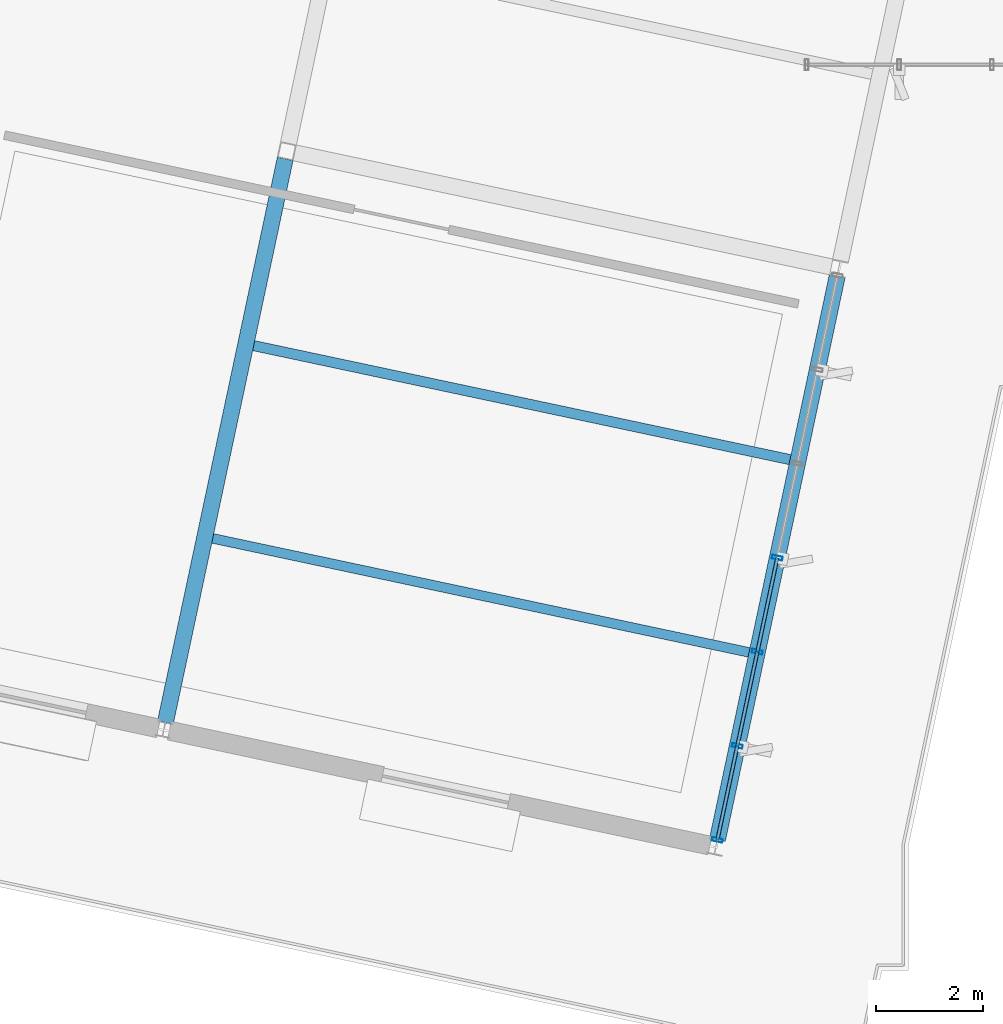
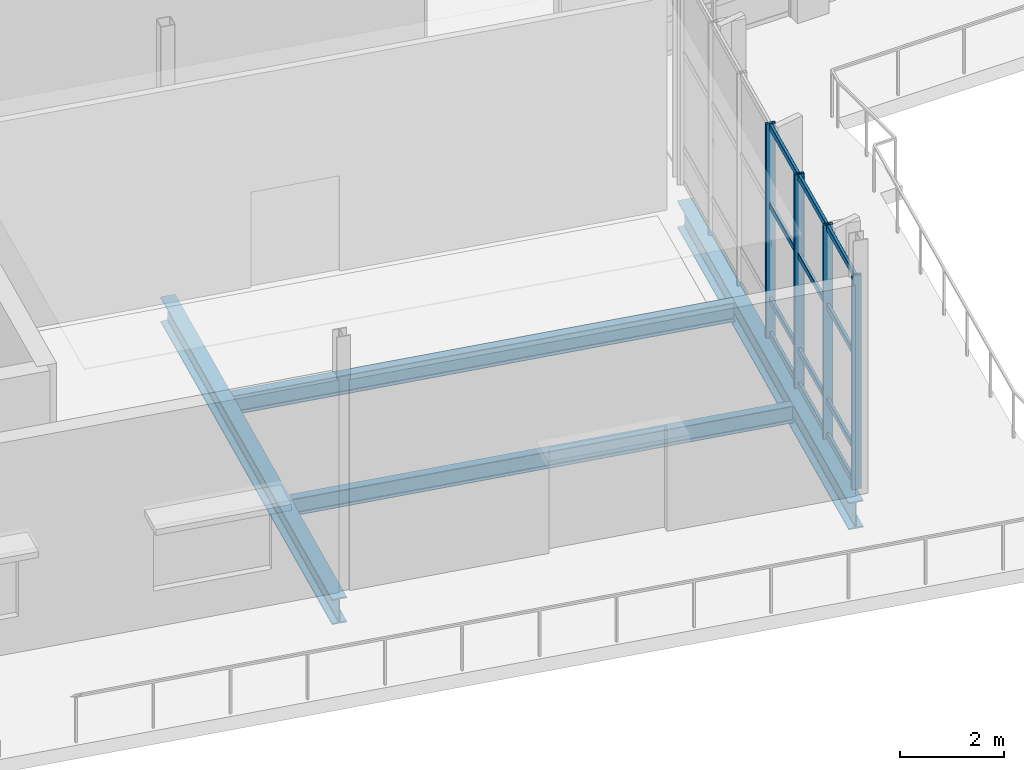
# One storey, part 31 of 163: 16 members, 4 beams, 1 element without a shape of its own.
"""IFC4 building model written with IfcOpenShell, lengths in metres."""

import ifcopenshell
import ifcopenshell.guid

model = None  # the IFC model being written
_history = None  # IfcOwnerHistory: only IFC2X3 demands one
_inside = {}  # id of a spatial element -> (the spatial element, [elements in it])
_under = {}  # id of a project, library or spatial element -> (it, [spatial elements below it])
_declared = {}  # id of a project -> (the project, [libraries it declares])
_typed = {}  # id of a type object -> (the type object, [elements of that type])
_made_of = {}  # id of a material, layer set ... -> (it, [elements and type objects made of it])


def new_model(schema):
    """Start an empty IFC model of exactly this schema.

    Asked for "IFC4X3", IfcOpenShell would pick the latest addendum, in which some entities
    have other attributes; the version numbers below select the first issue.
    IFC2X3 requires an IfcOwnerHistory on every rooted entity: one is made here for all.
    """
    global model, _history
    if schema == "IFC4X3":
        model = ifcopenshell.file(schema_version=(4, 3, 0, 0))
    else:
        model = ifcopenshell.file(schema=schema)
    _inside.clear()
    _under.clear()
    _declared.clear()
    _typed.clear()
    _made_of.clear()
    _history = None
    if model.schema == "IFC2X3":
        org = make("IfcOrganization", Name="unknown")
        user = make(
            "IfcPersonAndOrganization",
            ThePerson=make("IfcPerson", FamilyName="unknown"),
            TheOrganization=org,
        )
        app = make(
            "IfcApplication",
            ApplicationDeveloper=org,
            Version="unknown",
            ApplicationFullName="unknown",
            ApplicationIdentifier="unknown",
        )
        _history = make(
            "IfcOwnerHistory",
            OwningUser=user,
            OwningApplication=app,
            ChangeAction="ADDED",
            CreationDate=0,
        )
    return model


def make(cls, **values):
    """One entity of the class cls with the attributes given. An attribute that is None is left unset."""
    return model.create_entity(
        cls, **{name: value for name, value in values.items() if value is not None}
    )


def rooted(cls, **values):
    """An entity with a GlobalId (a new one), such as an element, a storey or a relation."""
    return make(cls, GlobalId=ifcopenshell.guid.new(), OwnerHistory=_history, **values)


def si_unit(unit_type, name, prefix=None):
    """IfcSIUnit, for example si_unit("LENGTHUNIT", "METRE", prefix="MILLI")."""
    return make("IfcSIUnit", UnitType=unit_type, Prefix=prefix, Name=name)


def assignment(units):
    """IfcUnitAssignment: the units of a project."""
    return None if units is None else make("IfcUnitAssignment", Units=units)


def point(xyz):
    """IfcCartesianPoint."""
    return None if xyz is None else make("IfcCartesianPoint", Coordinates=xyz)


def direction(xyz):
    """IfcDirection."""
    return None if xyz is None else make("IfcDirection", DirectionRatios=xyz)


def frame(location, z_axis=None, x_axis=None):
    """IfcAxis2Placement3D, a coordinate frame: its origin and axes. An axis left out is left unset."""
    return make(
        "IfcAxis2Placement3D",
        Location=point(location),
        Axis=direction(z_axis),
        RefDirection=direction(x_axis),
    )


def frame_2d(location, x_axis=None):
    """IfcAxis2Placement2D, a coordinate frame in the plane: its origin and x axis."""
    return make(
        "IfcAxis2Placement2D", Location=point(location), RefDirection=direction(x_axis)
    )


def origin():
    """The frame at (0, 0, 0) with its axes left unset."""
    return frame((0.0, 0.0, 0.0))


def origin_2d():
    """The frame at (0, 0) in the plane with its x axis left unset."""
    return frame_2d((0.0, 0.0))


def place(relative_to, where):
    """IfcLocalPlacement: puts the frame where relative to a parent placement (None: the world)."""
    return make(
        "IfcLocalPlacement", PlacementRelTo=relative_to, RelativePlacement=where
    )


def context(
    kind, dimensions, precision=None, world=None, true_north=None, identifier=None
):
    """IfcGeometricRepresentationContext, for example the 3D "Model" context."""
    return make(
        "IfcGeometricRepresentationContext",
        ContextIdentifier=identifier,
        ContextType=kind,
        CoordinateSpaceDimension=dimensions,
        Precision=precision,
        WorldCoordinateSystem=world,
        TrueNorth=true_north,
    )


def subcontext(parent, identifier, kind, view, scale=None):
    """IfcGeometricRepresentationSubContext, for example "Body" below "Model"."""
    return make(
        "IfcGeometricRepresentationSubContext",
        ContextIdentifier=identifier,
        ContextType=kind,
        ParentContext=parent,
        TargetScale=scale,
        TargetView=view,
    )


def project(units=None, contexts=None):
    """IfcProject with its units and contexts."""
    return rooted(
        "IfcProject",
        Name="project",
        RepresentationContexts=contexts,
        UnitsInContext=assignment(units),
    )


def spatial(cls, under=None, at=None, **own):
    """A site, building, storey or space (cls), placed at a placement, below another one or the project."""
    s = rooted(cls, ObjectPlacement=at, **own)
    if under is not None:
        _under.setdefault(under.id(), (under, []))[1].append(s)
    return s


def profile(cls, at=None, kind="AREA", **sizes):
    """A parametric profile (cls). Its sizes go by their IFC names, for example OverallWidth=200.0."""
    return make(cls, ProfileType=kind, Position=at, **sizes)


def hollow_rectangle(**sizes):
    """IfcRectangleHollowProfileDef."""
    return profile("IfcRectangleHollowProfileDef", **sizes)


def i_section(**sizes):
    """IfcIShapeProfileDef."""
    return profile("IfcIShapeProfileDef", **sizes)


def extrude(swept, where, along, depth):
    """IfcExtrudedAreaSolid: the profile swept, set in the frame where, extruded along a direction by depth."""
    return make(
        "IfcExtrudedAreaSolid",
        SweptArea=swept,
        Position=where,
        ExtrudedDirection=direction(along),
        Depth=depth,
    )


def shape(context_of_items, identifier, shape_type, items):
    """IfcShapeRepresentation: the items that make up one representation, for example the "Body"."""
    return make(
        "IfcShapeRepresentation",
        ContextOfItems=context_of_items,
        RepresentationIdentifier=identifier,
        RepresentationType=shape_type,
        Items=items,
    )


def material(Name=None, Category=None):
    """IfcMaterial."""
    return make("IfcMaterial", Name=Name, Category=Category)


def layer(
    of_material, thickness, ventilated=None, Name=None, Category=None, Priority=None
):
    """IfcMaterialLayer: one layer of a wall or slab, of a material (None: an air gap)."""
    return make(
        "IfcMaterialLayer",
        Material=of_material,
        LayerThickness=thickness,
        IsVentilated=ventilated,
        Name=Name,
        Category=Category,
        Priority=Priority,
    )


def layer_set(layers, Name=None):
    """IfcMaterialLayerSet."""
    return make("IfcMaterialLayerSet", MaterialLayers=layers, LayerSetName=Name)


def material_profile(
    of_material, cross_section, Name=None, Category=None, Priority=None
):
    """IfcMaterialProfile: a cross section and its material."""
    return make(
        "IfcMaterialProfile",
        Name=Name,
        Material=of_material,
        Profile=cross_section,
        Priority=Priority,
        Category=Category,
    )


def profile_set(profiles, Name=None, composite=None):
    """IfcMaterialProfileSet."""
    return make(
        "IfcMaterialProfileSet",
        Name=Name,
        MaterialProfiles=profiles,
        CompositeProfile=composite,
    )


def made_of(thing, what):
    """Note that an element or type object is made of a material, layer set ...; save() writes the relation."""
    if what is not None:
        _made_of.setdefault(what.id(), (what, []))[1].append(thing)
    return thing


def type_object(cls, material=None, **own):
    """A type object (cls), such as IfcWallType, which elements share."""
    return made_of(rooted(cls, **own), material)


def element(
    cls,
    number,
    at=None,
    inside=None,
    cuts=None,
    type_object=None,
    material=None,
    context=None,
    identifier="Body",
    shape_type=None,
    held_by="IfcProductDefinitionShape",
    body=None,
    shapes=None,
    **own,
):
    """One element of the class cls, such as IfcWall. Its Tag is "e" and its number.

    at: its placement. inside: the storey or other place that contains it. cuts: it is an
    opening in that element (IfcRelVoidsElement). A single representation is given by context,
    identifier, shape_type and body (its items); several are given by shapes. held_by: the class
    of the entity that holds the representations. save() writes the other relations.
    """
    e = rooted(cls, Tag="e%d" % number, ObjectPlacement=at, **own)
    if body is not None:
        shapes = [shape(context, identifier, shape_type, body)]
    if shapes is not None:
        e.Representation = make(held_by, Representations=shapes)
    if inside is not None:
        _inside.setdefault(inside.id(), (inside, []))[1].append(e)
    if cuts is not None:
        rooted(
            "IfcRelVoidsElement", RelatingBuildingElement=cuts, RelatedOpeningElement=e
        )
    if type_object is not None:
        _typed.setdefault(type_object.id(), (type_object, []))[1].append(e)
    return made_of(e, material)


def aggregate(whole, parts):
    """IfcRelAggregates: a whole, such as a stair, and the parts it consists of."""
    return rooted("IfcRelAggregates", RelatingObject=whole, RelatedObjects=parts)


def save(model, path):
    """Write the relations noted so far, then the file.

    IfcRelAggregates (storeys below a building ...), IfcRelContainedInSpatialStructure (elements
    in a storey), IfcRelDefinesByType, IfcRelAssociatesMaterial and IfcRelDeclares: one each for
    every whole, place, type object, material and project.
    """
    for whole, parts in _under.values():
        aggregate(whole, parts)
    for where, things in _inside.values():
        rooted(
            "IfcRelContainedInSpatialStructure",
            RelatedElements=things,
            RelatingStructure=where,
        )
    for kind, things in _typed.values():
        rooted("IfcRelDefinesByType", RelatedObjects=things, RelatingType=kind)
    for what, things in _made_of.values():
        rooted("IfcRelAssociatesMaterial", RelatedObjects=things, RelatingMaterial=what)
    for by, libraries in _declared.values():
        rooted("IfcRelDeclares", RelatingContext=by, RelatedDefinitions=libraries)
    model.write(path)


model = new_model("IFC4")

# Units and contexts
model_context = context("Model", 3, precision=1e-05, world=origin(), true_north=direction((0.0, 1.0)))
body_context = subcontext(model_context, "Body", "Model", "MODEL_VIEW")
ifc_project = project(units=[si_unit("LENGTHUNIT", "METRE"), si_unit("AREAUNIT", "SQUARE_METRE"), si_unit("VOLUMEUNIT", "CUBIC_METRE"), si_unit("PLANEANGLEUNIT", "RADIAN"), si_unit("MASSUNIT", "GRAM", prefix="KILO")], contexts=[model_context])

# Site, building, storey
site_placement = place(None, origin())
site = spatial("IfcSite", under=ifc_project, at=site_placement, CompositionType="ELEMENT")
building_placement = place(site_placement, origin())
building = spatial("IfcBuilding", under=site, at=building_placement, Name="Khorjan Park Terminus", CompositionType="ELEMENT")
storey_placement = place(building_placement, origin())
storey = spatial("IfcBuildingStorey", under=building, at=storey_placement, Name="L00", CompositionType="ELEMENT", Elevation=0.0)

# Beams
ifc_material_1 = material(Name="Steel S355", Category="steel")
ifc_material_profile_1 = material_profile(ifc_material_1, i_section(OverallWidth=0.3, OverallDepth=0.64, WebThickness=0.0135, FlangeThickness=0.026, FilletRadius=0.027, at=origin_2d()), Name="HEA 650")
ifc_profile_set_1 = profile_set([ifc_material_profile_1], Name="Steel S355")
beam_type_1 = type_object("IfcBeamType", Name="BM-HEA650", PredefinedType="BEAM", material=ifc_profile_set_1)
beam_1_placement = place(storey_placement, frame((24.8418, 35.5926, -0.68), z_axis=(0.207907890532, 0.978148408502, 0.0), x_axis=(-0.978148408502, 0.207907890532, 0.0)))
element("IfcBeam", 1, at=beam_1_placement, inside=storey, type_object=beam_type_1, Name="Primary skew-grid floor girder SB-A65 (L00)", PredefinedType="BEAM", context=body_context, shape_type="SweptSolid", body=[
    extrude(i_section(OverallWidth=0.3, OverallDepth=0.64, WebThickness=0.0135, FlangeThickness=0.026, FilletRadius=0.027, at=origin_2d()), origin(), (0.0, 0.0, 1.0), 10.71),
])
ifc_material_profile_2 = material_profile(ifc_material_1, i_section(OverallWidth=0.3, OverallDepth=0.6, WebThickness=0.0155, FlangeThickness=0.03, FilletRadius=0.027, at=origin_2d()), Name="HEB 600")
ifc_profile_set_2 = profile_set([ifc_material_profile_2], Name="Steel S355")
beam_type_2 = type_object("IfcBeamType", Name="BM-HEB600", PredefinedType="BEAM", material=ifc_profile_set_2)
beam_2_placement = place(storey_placement, frame((14.5692, 37.7659, -0.66), z_axis=(0.207911303582, 0.978147683043, 0.0), x_axis=(-0.978147683043, 0.207911303582, 0.0)))
element("IfcBeam", 2, at=beam_2_placement, inside=storey, type_object=beam_type_2, Name="Primary skew-grid floor girder SB-B60 (L00)", PredefinedType="BEAM", context=body_context, shape_type="SweptSolid", body=[
    extrude(i_section(OverallWidth=0.3, OverallDepth=0.6, WebThickness=0.0155, FlangeThickness=0.03, FilletRadius=0.027, at=origin_2d()), origin(), (0.0, 0.0, 1.0), 10.72),
])
ifc_material_profile_3 = material_profile(ifc_material_1, i_section(OverallWidth=0.18, OverallDepth=0.4, WebThickness=0.0086, FlangeThickness=0.0135, FilletRadius=0.021, at=origin_2d()), Name="IPE 400")
ifc_profile_set_3 = profile_set([ifc_material_profile_3], Name="Steel S355")
beam_type_3 = type_object("IfcBeamType", Name="JS-IPE400", PredefinedType="JOIST", material=ifc_profile_set_3)
beam_3_placement = place(storey_placement, frame((15.4502, 41.1892, -0.56), z_axis=(0.978147562282, -0.207911871719, 0.0), x_axis=(0.207911871719, 0.978147562282, 0.0)))
element("IfcBeam", 3, at=beam_3_placement, inside=storey, type_object=beam_type_3, Name="Secondary composite floor joist SJ-40 (L00)", PredefinedType="JOIST", context=body_context, shape_type="SweptSolid", body=[
    extrude(i_section(OverallWidth=0.18, OverallDepth=0.4, WebThickness=0.0086, FlangeThickness=0.0135, FilletRadius=0.021, at=origin_2d()), origin(), (0.0, 0.0, 1.0), 10.2),
])
ifc_material_profile_4 = material_profile(ifc_material_1, i_section(OverallWidth=0.19, OverallDepth=0.45, WebThickness=0.0094, FlangeThickness=0.0146, FilletRadius=0.021, at=origin_2d()), Name="IPE 450")
ifc_profile_set_4 = profile_set([ifc_material_profile_4], Name="Steel S355")
beam_type_4 = type_object("IfcBeamType", Name="JS-IPE450", PredefinedType="JOIST", material=ifc_profile_set_4)
beam_4_placement = place(storey_placement, frame((16.2125, 44.7757, -0.585), z_axis=(0.978147562282, -0.207911871719, 0.0), x_axis=(0.207911871719, 0.978147562282, 0.0)))
element("IfcBeam", 4, at=beam_4_placement, inside=storey, type_object=beam_type_4, Name="Secondary composite floor joist SJ-45 (L00)", PredefinedType="JOIST", context=body_context, shape_type="SweptSolid", body=[
    extrude(i_section(OverallWidth=0.19, OverallDepth=0.45, WebThickness=0.0094, FlangeThickness=0.0146, FilletRadius=0.021, at=origin_2d()), origin(), (0.0, 0.0, 1.0), 10.2),
])

# Curtain wall, members
ifc_material_2 = material(Name="Anodized Bronze Aluminium", Category="aluminium")
ifc_layer = layer(ifc_material_2, 0.22)
ifc_layer_set = layer_set([ifc_layer], Name="Anodized Bronze Aluminium")
curtain_wall_type = type_object("IfcCurtainWallType", Name="CW-PAV-C", PredefinedType="NOTDEFINED", material=ifc_layer_set)
curtain_wall_placement = place(storey_placement, origin())
curtain_wall = element("IfcCurtainWall", 5, at=curtain_wall_placement, inside=storey, type_object=curtain_wall_type, Name="Unitized curtain wall CW-C (CW-V4-E-L00-B01)", PredefinedType="NOTDEFINED")
ifc_material_profile_5 = material_profile(ifc_material_2, hollow_rectangle(XDim=0.07, YDim=0.2, WallThickness=0.005, InnerFilletRadius=0.005, OuterFilletRadius=0.01, at=origin_2d()), Name="ALM 70x200x5")
ifc_profile_set_5 = profile_set([ifc_material_profile_5], Name="Anodized Bronze Aluminium")
member_type_1 = type_object("IfcMemberType", Name="ML-ALM-200", PredefinedType="MULLION", material=ifc_profile_set_5)
member_1_placement = place(storey_placement, frame((24.8387, 35.5782, -0.035), z_axis=(0.0, 0.0, 1.0), x_axis=(0.207916776669, 0.978146519689, 0.0)))
member_1 = element("IfcMember", 6, at=member_1_placement, type_object=member_type_1, Name="Curtain-wall mullion ML-20 (CW-V4-E-L00-B01-0)", PredefinedType="MULLION", context=body_context, shape_type="SweptSolid", body=[
    extrude(hollow_rectangle(XDim=0.07, YDim=0.2, WallThickness=0.005, InnerFilletRadius=0.005, OuterFilletRadius=0.01, at=origin_2d()), origin(), (0.0, 0.0, 1.0), 5.045),
])
member_2_placement = place(storey_placement, frame((25.2109, 37.329, -0.035), z_axis=(0.0, 0.0, 1.0), x_axis=(0.207916776669, 0.978146519689, 0.0)))
member_2 = element("IfcMember", 7, at=member_2_placement, type_object=member_type_1, Name="Curtain-wall mullion ML-20 (CW-V4-E-L00-B01-1)", PredefinedType="MULLION", context=body_context, shape_type="SweptSolid", body=[
    extrude(hollow_rectangle(XDim=0.07, YDim=0.2, WallThickness=0.005, InnerFilletRadius=0.005, OuterFilletRadius=0.01, at=origin_2d()), origin(), (0.0, 0.0, 1.0), 5.045),
])
member_3_placement = place(storey_placement, frame((25.583, 39.0798, -0.035), z_axis=(0.0, 0.0, 1.0), x_axis=(0.207916776669, 0.978146519689, 0.0)))
member_3 = element("IfcMember", 8, at=member_3_placement, type_object=member_type_1, Name="Curtain-wall mullion ML-20 (CW-V4-E-L00-B01-2)", PredefinedType="MULLION", context=body_context, shape_type="SweptSolid", body=[
    extrude(hollow_rectangle(XDim=0.07, YDim=0.2, WallThickness=0.005, InnerFilletRadius=0.005, OuterFilletRadius=0.01, at=origin_2d()), origin(), (0.0, 0.0, 1.0), 5.045),
])
member_4_placement = place(storey_placement, frame((25.9551, 40.8306, -0.035), z_axis=(0.0, 0.0, 1.0), x_axis=(0.207916776669, 0.978146519689, 0.0)))
member_4 = element("IfcMember", 9, at=member_4_placement, type_object=member_type_1, Name="Curtain-wall mullion ML-20 (CW-V4-E-L00-B01-3)", PredefinedType="MULLION", context=body_context, shape_type="SweptSolid", body=[
    extrude(hollow_rectangle(XDim=0.07, YDim=0.2, WallThickness=0.005, InnerFilletRadius=0.005, OuterFilletRadius=0.01, at=origin_2d()), origin(), (0.0, 0.0, 1.0), 5.045),
])
ifc_material_profile_6 = material_profile(ifc_material_2, hollow_rectangle(XDim=0.065, YDim=0.14, WallThickness=0.004, InnerFilletRadius=0.004, OuterFilletRadius=0.008, at=origin_2d()), Name="ALT 65x140x4")
ifc_profile_set_6 = profile_set([ifc_material_profile_6], Name="Anodized Bronze Aluminium")
member_type_2 = type_object("IfcMemberType", Name="TR-ALT-140", PredefinedType="USERDEFINED", material=ifc_profile_set_6)
member_5_placement = place(storey_placement, frame((24.8387, 35.5782, 0.04), z_axis=(0.207941609461, 0.978141240852, 0.0), x_axis=(-0.978141240852, 0.207941609461, 0.0)))
member_5 = element("IfcMember", 10, at=member_5_placement, type_object=member_type_2, Name="Curtain-wall transom TR-14 (CW-V4-E-L00-B01-0-1)", ObjectType="TRANSOM", PredefinedType="USERDEFINED", context=body_context, shape_type="SweptSolid", body=[
    extrude(hollow_rectangle(XDim=0.065, YDim=0.14, WallThickness=0.004, InnerFilletRadius=0.004, OuterFilletRadius=0.008, at=origin_2d()), origin(), (0.0, 0.0, 1.0), 1.7899),
])
member_6_placement = place(storey_placement, frame((24.8387, 35.5782, 0.85), z_axis=(0.207941609461, 0.978141240852, 0.0), x_axis=(-0.978141240852, 0.207941609461, 0.0)))
member_6 = element("IfcMember", 11, at=member_6_placement, type_object=member_type_2, Name="Curtain-wall transom TR-14 (CW-V4-E-L00-B01-0-2)", ObjectType="TRANSOM", PredefinedType="USERDEFINED", context=body_context, shape_type="SweptSolid", body=[
    extrude(hollow_rectangle(XDim=0.065, YDim=0.14, WallThickness=0.004, InnerFilletRadius=0.004, OuterFilletRadius=0.008, at=origin_2d()), origin(), (0.0, 0.0, 1.0), 1.7899),
])
member_7_placement = place(storey_placement, frame((24.8387, 35.5782, 3.0845), z_axis=(0.207941609461, 0.978141240852, 0.0), x_axis=(-0.978141240852, 0.207941609461, 0.0)))
member_7 = element("IfcMember", 12, at=member_7_placement, type_object=member_type_2, Name="Curtain-wall transom TR-14 (CW-V4-E-L00-B01-0-3)", ObjectType="TRANSOM", PredefinedType="USERDEFINED", context=body_context, shape_type="SweptSolid", body=[
    extrude(hollow_rectangle(XDim=0.065, YDim=0.14, WallThickness=0.004, InnerFilletRadius=0.004, OuterFilletRadius=0.008, at=origin_2d()), origin(), (0.0, 0.0, 1.0), 1.7899),
])
member_8_placement = place(storey_placement, frame((24.8387, 35.5782, 4.935), z_axis=(0.207941609461, 0.978141240852, 0.0), x_axis=(-0.978141240852, 0.207941609461, 0.0)))
member_8 = element("IfcMember", 13, at=member_8_placement, type_object=member_type_2, Name="Curtain-wall transom TR-14 (CW-V4-E-L00-B01-0-4)", ObjectType="TRANSOM", PredefinedType="USERDEFINED", context=body_context, shape_type="SweptSolid", body=[
    extrude(hollow_rectangle(XDim=0.065, YDim=0.14, WallThickness=0.004, InnerFilletRadius=0.004, OuterFilletRadius=0.008, at=origin_2d()), origin(), (0.0, 0.0, 1.0), 1.7899),
])
member_9_placement = place(storey_placement, frame((25.2109, 37.329, 0.04), z_axis=(0.207888156011, 0.978152602915, 0.0), x_axis=(-0.978152602915, 0.207888156011, 0.0)))
member_9 = element("IfcMember", 14, at=member_9_placement, type_object=member_type_2, Name="Curtain-wall transom TR-14 (CW-V4-E-L00-B01-1-1)", ObjectType="TRANSOM", PredefinedType="USERDEFINED", context=body_context, shape_type="SweptSolid", body=[
    extrude(hollow_rectangle(XDim=0.065, YDim=0.14, WallThickness=0.004, InnerFilletRadius=0.004, OuterFilletRadius=0.008, at=origin_2d()), origin(), (0.0, 0.0, 1.0), 1.7899),
])
member_10_placement = place(storey_placement, frame((25.2109, 37.329, 0.85), z_axis=(0.207888156011, 0.978152602915, 0.0), x_axis=(-0.978152602915, 0.207888156011, 0.0)))
member_10 = element("IfcMember", 15, at=member_10_placement, type_object=member_type_2, Name="Curtain-wall transom TR-14 (CW-V4-E-L00-B01-1-2)", ObjectType="TRANSOM", PredefinedType="USERDEFINED", context=body_context, shape_type="SweptSolid", body=[
    extrude(hollow_rectangle(XDim=0.065, YDim=0.14, WallThickness=0.004, InnerFilletRadius=0.004, OuterFilletRadius=0.008, at=origin_2d()), origin(), (0.0, 0.0, 1.0), 1.7899),
])
member_11_placement = place(storey_placement, frame((25.2109, 37.329, 3.0845), z_axis=(0.207888156011, 0.978152602915, 0.0), x_axis=(-0.978152602915, 0.207888156011, 0.0)))
member_11 = element("IfcMember", 16, at=member_11_placement, type_object=member_type_2, Name="Curtain-wall transom TR-14 (CW-V4-E-L00-B01-1-3)", ObjectType="TRANSOM", PredefinedType="USERDEFINED", context=body_context, shape_type="SweptSolid", body=[
    extrude(hollow_rectangle(XDim=0.065, YDim=0.14, WallThickness=0.004, InnerFilletRadius=0.004, OuterFilletRadius=0.008, at=origin_2d()), origin(), (0.0, 0.0, 1.0), 1.7899),
])
member_12_placement = place(storey_placement, frame((25.2109, 37.329, 4.935), z_axis=(0.207888156011, 0.978152602915, 0.0), x_axis=(-0.978152602915, 0.207888156011, 0.0)))
member_12 = element("IfcMember", 17, at=member_12_placement, type_object=member_type_2, Name="Curtain-wall transom TR-14 (CW-V4-E-L00-B01-1-4)", ObjectType="TRANSOM", PredefinedType="USERDEFINED", context=body_context, shape_type="SweptSolid", body=[
    extrude(hollow_rectangle(XDim=0.065, YDim=0.14, WallThickness=0.004, InnerFilletRadius=0.004, OuterFilletRadius=0.008, at=origin_2d()), origin(), (0.0, 0.0, 1.0), 1.7899),
])
member_13_placement = place(storey_placement, frame((25.583, 39.0798, 0.04), z_axis=(0.207888156011, 0.978152602915, 0.0), x_axis=(-0.978152602915, 0.207888156011, 0.0)))
member_13 = element("IfcMember", 18, at=member_13_placement, type_object=member_type_2, Name="Curtain-wall transom TR-14 (CW-V4-E-L00-B01-2-1)", ObjectType="TRANSOM", PredefinedType="USERDEFINED", context=body_context, shape_type="SweptSolid", body=[
    extrude(hollow_rectangle(XDim=0.065, YDim=0.14, WallThickness=0.004, InnerFilletRadius=0.004, OuterFilletRadius=0.008, at=origin_2d()), origin(), (0.0, 0.0, 1.0), 1.7899),
])
member_14_placement = place(storey_placement, frame((25.583, 39.0798, 0.85), z_axis=(0.207888156011, 0.978152602915, 0.0), x_axis=(-0.978152602915, 0.207888156011, 0.0)))
member_14 = element("IfcMember", 19, at=member_14_placement, type_object=member_type_2, Name="Curtain-wall transom TR-14 (CW-V4-E-L00-B01-2-2)", ObjectType="TRANSOM", PredefinedType="USERDEFINED", context=body_context, shape_type="SweptSolid", body=[
    extrude(hollow_rectangle(XDim=0.065, YDim=0.14, WallThickness=0.004, InnerFilletRadius=0.004, OuterFilletRadius=0.008, at=origin_2d()), origin(), (0.0, 0.0, 1.0), 1.7899),
])
member_15_placement = place(storey_placement, frame((25.583, 39.0798, 3.0845), z_axis=(0.207888156011, 0.978152602915, 0.0), x_axis=(-0.978152602915, 0.207888156011, 0.0)))
member_15 = element("IfcMember", 20, at=member_15_placement, type_object=member_type_2, Name="Curtain-wall transom TR-14 (CW-V4-E-L00-B01-2-3)", ObjectType="TRANSOM", PredefinedType="USERDEFINED", context=body_context, shape_type="SweptSolid", body=[
    extrude(hollow_rectangle(XDim=0.065, YDim=0.14, WallThickness=0.004, InnerFilletRadius=0.004, OuterFilletRadius=0.008, at=origin_2d()), origin(), (0.0, 0.0, 1.0), 1.7899),
])
member_16_placement = place(storey_placement, frame((25.583, 39.0798, 4.935), z_axis=(0.207888156011, 0.978152602915, 0.0), x_axis=(-0.978152602915, 0.207888156011, 0.0)))
member_16 = element("IfcMember", 21, at=member_16_placement, type_object=member_type_2, Name="Curtain-wall transom TR-14 (CW-V4-E-L00-B01-2-4)", ObjectType="TRANSOM", PredefinedType="USERDEFINED", context=body_context, shape_type="SweptSolid", body=[
    extrude(hollow_rectangle(XDim=0.065, YDim=0.14, WallThickness=0.004, InnerFilletRadius=0.004, OuterFilletRadius=0.008, at=origin_2d()), origin(), (0.0, 0.0, 1.0), 1.7899),
])
aggregate(curtain_wall, [member_1, member_2, member_3, member_4, member_5, member_6, member_7, member_8, member_9, member_10, member_11, member_12, member_13, member_14, member_15, member_16])

save(model, "model.ifc")
